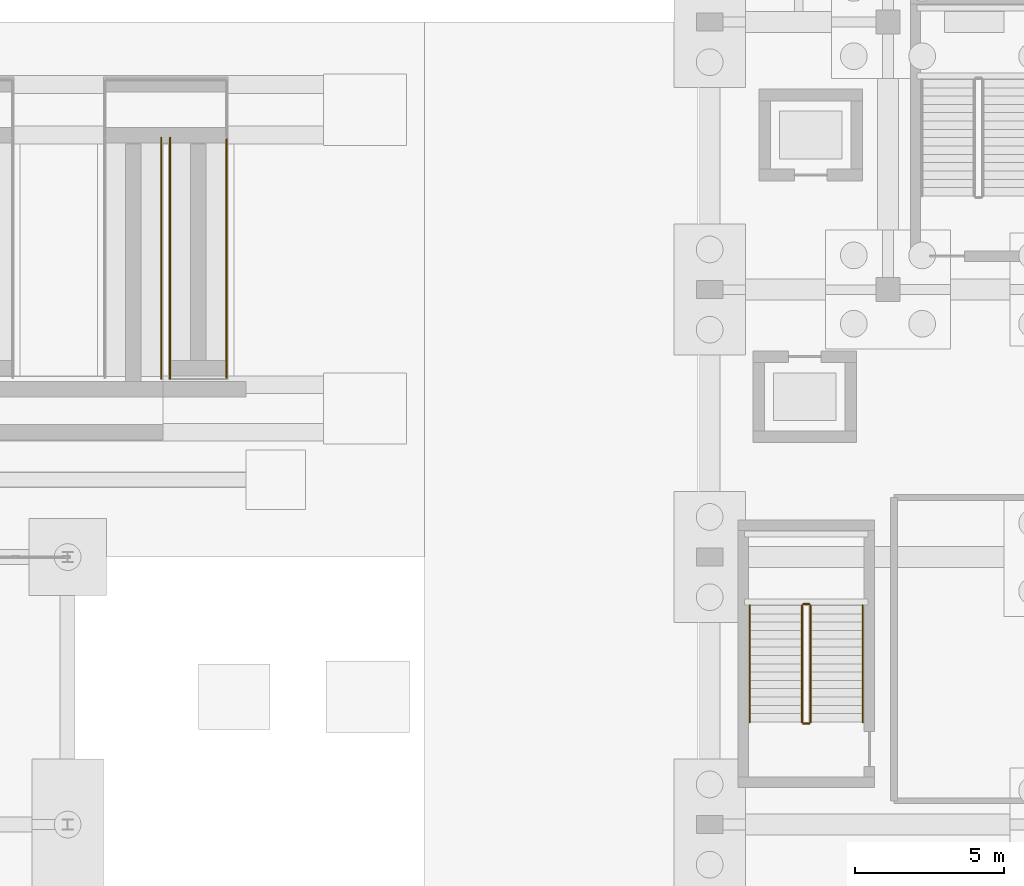
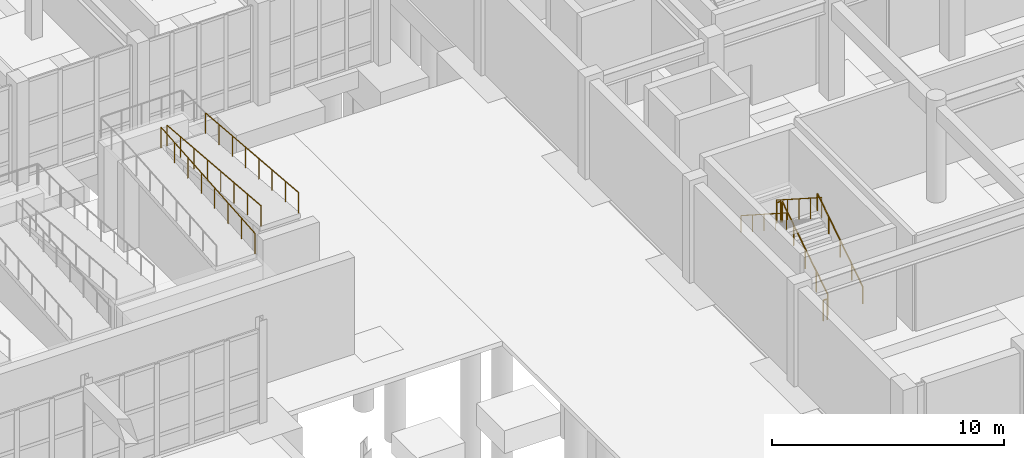
# One storey, part 60 of 69: 9 railings.
"""IFC4 building model written with IfcOpenShell, lengths in metres."""

from ifc_helpers import new_model, si_unit, direction, frame, origin, origin_2d, place, context, subcontext, project, spatial, circle, extrude, material, type_object, element, save


model = new_model("IFC4")

# Units and contexts
model_context = context("Model", 3, precision=1e-05, world=origin(), true_north=direction((0.0, 1.0)))
body_context = subcontext(model_context, "Body", "Model", "MODEL_VIEW")
ifc_project = project(units=[si_unit("LENGTHUNIT", "METRE"), si_unit("AREAUNIT", "SQUARE_METRE"), si_unit("VOLUMEUNIT", "CUBIC_METRE"), si_unit("PLANEANGLEUNIT", "RADIAN"), si_unit("MASSUNIT", "GRAM", prefix="KILO")], contexts=[model_context])

# Site, building, storey
site_placement = place(None, origin())
site = spatial("IfcSite", under=ifc_project, at=site_placement, CompositionType="ELEMENT")
building_placement = place(site_placement, origin())
building = spatial("IfcBuilding", under=site, at=building_placement, Name="Vaelkrest Opera House", CompositionType="ELEMENT")
storey_placement = place(building_placement, frame((0.0, 0.0, -5.39990234375)))
storey = spatial("IfcBuildingStorey", under=building, at=storey_placement, Name="B1", CompositionType="ELEMENT", Elevation=-5.39990234375)

# Railings
ifc_material = material(Name="Dark bronze anodized aluminium", Category="aluminium")
railing_type_1 = type_object("IfcRailingType", Name="GR01", PredefinedType="GUARDRAIL", material=ifc_material)
railing_1_placement = place(storey_placement, frame((-46.25, -23.739990234375, 4.724853515625)))
element("IfcRailing", 1, at=railing_1_placement, inside=storey, type_object=railing_type_1, Name="Ramp guardrail RMP-FC-4 seg 5", PredefinedType="GUARDRAIL", context=body_context, shape_type="SweptSolid", body=[
    extrude(circle(Radius=0.02392578125, at=origin_2d()), frame((0.0, 0.0, 1.076171875), z_axis=(0.0, -0.996476377592, 0.083873886881), x_axis=(1.0, 0.0, 0.0)), (0.0, 0.0, 1.0), 8.04833984375),
    extrude(circle(Radius=0.02099609375, at=origin_2d()), origin(), (0.0, 0.0, 1.0), 1.052001953125),
    extrude(circle(Radius=0.02099609375, at=origin_2d()), frame((0.0, -1.145751953125, 0.096435546875)), (0.0, 0.0, 1.0), 1.052001953125),
    extrude(circle(Radius=0.02099609375, at=origin_2d()), frame((0.0, -2.29150390625, 0.19287109375)), (0.0, 0.0, 1.0), 1.052001953125),
    extrude(circle(Radius=0.02099609375, at=origin_2d()), frame((0.0, -3.437255859375, 0.289306640625)), (0.0, 0.0, 1.0), 1.052001953125),
    extrude(circle(Radius=0.02099609375, at=origin_2d()), frame((0.0, -4.582763671875, 0.3857421875)), (0.0, 0.0, 1.0), 1.052001953125),
    extrude(circle(Radius=0.02099609375, at=origin_2d()), frame((0.0, -5.728515625, 0.482177734375)), (0.0, 0.0, 1.0), 1.052001953125),
    extrude(circle(Radius=0.02099609375, at=origin_2d()), frame((0.0, -6.874267578125, 0.57861328125)), (0.0, 0.0, 1.0), 1.052001953125),
    extrude(circle(Radius=0.02099609375, at=origin_2d()), frame((0.0, -8.02001953125, 0.675048828125)), (0.0, 0.0, 1.0), 1.052001953125),
])
railing_2_placement = place(storey_placement, frame((-48.449951171875, -31.800048828125, 4.0498046875)))
element("IfcRailing", 2, at=railing_2_placement, inside=storey, type_object=railing_type_1, Name="Ramp inner rail RMP-FC-4-1", PredefinedType="GUARDRAIL", context=body_context, shape_type="SweptSolid", body=[
    extrude(circle(Radius=0.02392578125, at=origin_2d()), frame((0.0, 0.0, 1.076171875), z_axis=(0.0, 0.996545343938, 0.083050451383), x_axis=(-1.0, 0.0, 0.0)), (0.0, 0.0, 1.0), 8.128173828125),
    extrude(circle(Radius=0.02099609375, at=origin_2d()), origin(), (0.0, 0.0, 1.0), 1.052001953125),
    extrude(circle(Radius=0.02099609375, at=origin_2d()), frame((0.0, 1.1572265625, 0.096435546875)), (0.0, 0.0, 1.0), 1.052001953125),
    extrude(circle(Radius=0.02099609375, at=origin_2d()), frame((0.0, 2.314208984375, 0.19287109375)), (0.0, 0.0, 1.0), 1.052001953125),
    extrude(circle(Radius=0.02099609375, at=origin_2d()), frame((0.0, 3.471435546875, 0.289306640625)), (0.0, 0.0, 1.0), 1.052001953125),
    extrude(circle(Radius=0.02099609375, at=origin_2d()), frame((0.0, 4.628662109375, 0.3857421875)), (0.0, 0.0, 1.0), 1.052001953125),
    extrude(circle(Radius=0.02099609375, at=origin_2d()), frame((0.0, 5.785888671875, 0.482177734375)), (0.0, 0.0, 1.0), 1.052001953125),
    extrude(circle(Radius=0.02099609375, at=origin_2d()), frame((0.0, 6.94287109375, 0.57861328125)), (0.0, 0.0, 1.0), 1.052001953125),
    extrude(circle(Radius=0.02099609375, at=origin_2d()), frame((0.0, 8.10009765625, 0.675048828125)), (0.0, 0.0, 1.0), 1.052001953125),
])
railing_3_placement = place(storey_placement, frame((-48.14990234375, -23.699951171875, 4.724853515625)))
element("IfcRailing", 3, at=railing_3_placement, inside=storey, type_object=railing_type_1, Name="Ramp inner rail RMP-FC-4-2", PredefinedType="GUARDRAIL", context=body_context, shape_type="SweptSolid", body=[
    extrude(circle(Radius=0.02392578125, at=origin_2d()), frame((0.0, 0.0, 1.076171875), z_axis=(0.0, -0.996545343938, 0.083050451383), x_axis=(1.0, 0.0, 0.0)), (0.0, 0.0, 1.0), 8.128173828125),
    extrude(circle(Radius=0.02099609375, at=origin_2d()), origin(), (0.0, 0.0, 1.0), 1.052001953125),
    extrude(circle(Radius=0.02099609375, at=origin_2d()), frame((0.0, -1.1572265625, 0.096435546875)), (0.0, 0.0, 1.0), 1.052001953125),
    extrude(circle(Radius=0.02099609375, at=origin_2d()), frame((0.0, -2.314208984375, 0.19287109375)), (0.0, 0.0, 1.0), 1.052001953125),
    extrude(circle(Radius=0.02099609375, at=origin_2d()), frame((0.0, -3.471435546875, 0.289306640625)), (0.0, 0.0, 1.0), 1.052001953125),
    extrude(circle(Radius=0.02099609375, at=origin_2d()), frame((0.0, -4.628662109375, 0.3857421875)), (0.0, 0.0, 1.0), 1.052001953125),
    extrude(circle(Radius=0.02099609375, at=origin_2d()), frame((0.0, -5.785888671875, 0.482177734375)), (0.0, 0.0, 1.0), 1.052001953125),
    extrude(circle(Radius=0.02099609375, at=origin_2d()), frame((0.0, -6.94287109375, 0.57861328125)), (0.0, 0.0, 1.0), 1.052001953125),
    extrude(circle(Radius=0.02099609375, at=origin_2d()), frame((0.0, -8.10009765625, 0.675048828125)), (0.0, 0.0, 1.0), 1.052001953125),
])
railing_type_2 = type_object("IfcRailingType", Name="GR02", PredefinedType="GUARDRAIL", material=ifc_material)
railing_4_placement = place(storey_placement, frame((-26.60009765625, -43.35009765625, 0.179931640625)))
element("IfcRailing", 4, at=railing_4_placement, inside=storey, type_object=railing_type_2, Name="B1 ST03 stair guard 1", PredefinedType="GUARDRAIL", context=body_context, shape_type="SweptSolid", body=[
    extrude(circle(Radius=0.02392578125, at=origin_2d()), frame((0.0, 0.0, 1.076171875), z_axis=(0.0, 0.841186985886, 0.540744352514), x_axis=(-1.0, 0.0, 0.0)), (0.0, 0.0, 1.0), 4.660400390625),
    extrude(circle(Radius=0.02099609375, at=origin_2d()), origin(), (0.0, 0.0, 1.0), 1.052001953125),
    extrude(circle(Radius=0.02099609375, at=origin_2d()), frame((0.0, 0.97998046875, 0.6298828125)), (0.0, 0.0, 1.0), 1.052001953125),
    extrude(circle(Radius=0.02099609375, at=origin_2d()), frame((0.0, 1.9599609375, 1.260009765625)), (0.0, 0.0, 1.0), 1.052001953125),
    extrude(circle(Radius=0.02099609375, at=origin_2d()), frame((0.0, 2.940185546875, 1.89013671875)), (0.0, 0.0, 1.0), 1.052001953125),
    extrude(circle(Radius=0.02099609375, at=origin_2d()), frame((0.0, 3.920166015625, 2.52001953125)), (0.0, 0.0, 1.0), 1.052001953125),
])
railing_5_placement = place(storey_placement, frame((-26.64990234375, -39.3798828125, 2.699951171875)))
element("IfcRailing", 5, at=railing_5_placement, inside=storey, type_object=railing_type_2, Name="B1 ST03 stair guard 2", PredefinedType="GUARDRAIL", context=body_context, shape_type="SweptSolid", body=[
    extrude(circle(Radius=0.02392578125, at=origin_2d()), frame((0.0, 0.0, 1.076171875), z_axis=(-1.0, 0.0, 0.0), x_axis=(0.0, -1.0, 0.0)), (0.0, 0.0, 1.0), 0.2001953125),
    extrude(circle(Radius=0.02099609375, at=origin_2d()), origin(), (0.0, 0.0, 1.0), 1.052001953125),
    extrude(circle(Radius=0.02099609375, at=origin_2d()), frame((-0.2001953125, 0.0, 0.0)), (0.0, 0.0, 1.0), 1.052001953125),
])
railing_6_placement = place(storey_placement, frame((-26.89990234375, -39.429931640625, 2.8798828125)))
element("IfcRailing", 6, at=railing_6_placement, inside=storey, type_object=railing_type_2, Name="B1 ST03 stair guard 3", PredefinedType="GUARDRAIL", context=body_context, shape_type="SweptSolid", body=[
    extrude(circle(Radius=0.02392578125, at=origin_2d()), frame((0.0, 0.0, 1.076171875), z_axis=(0.0, -0.841186985886, 0.540744352514), x_axis=(1.0, 0.0, 0.0)), (0.0, 0.0, 1.0), 4.660400390625),
    extrude(circle(Radius=0.02099609375, at=origin_2d()), origin(), (0.0, 0.0, 1.0), 1.052001953125),
    extrude(circle(Radius=0.02099609375, at=origin_2d()), frame((0.0, -0.97998046875, 0.6298828125)), (0.0, 0.0, 1.0), 1.052001953125),
    extrude(circle(Radius=0.02099609375, at=origin_2d()), frame((0.0, -1.9599609375, 1.260009765625)), (0.0, 0.0, 1.0), 1.052001953125),
    extrude(circle(Radius=0.02099609375, at=origin_2d()), frame((0.0, -2.940185546875, 1.89013671875)), (0.0, 0.0, 1.0), 1.052001953125),
    extrude(circle(Radius=0.02099609375, at=origin_2d()), frame((0.0, -3.920166015625, 2.52001953125)), (0.0, 0.0, 1.0), 1.052001953125),
])
railing_7_placement = place(storey_placement, frame((-26.64990234375, -43.39990234375, 0.0)))
element("IfcRailing", 7, at=railing_7_placement, inside=storey, type_object=railing_type_2, Name="B1 ST03 stair guard 4", PredefinedType="GUARDRAIL", context=body_context, shape_type="SweptSolid", body=[
    extrude(circle(Radius=0.02392578125, at=origin_2d()), frame((0.0, 0.0, 1.076171875), z_axis=(-1.0, 0.0, 0.0), x_axis=(0.0, -1.0, 0.0)), (0.0, 0.0, 1.0), 0.2001953125),
    extrude(circle(Radius=0.02099609375, at=origin_2d()), origin(), (0.0, 0.0, 1.0), 1.052001953125),
    extrude(circle(Radius=0.02099609375, at=origin_2d()), frame((-0.2001953125, 0.0, 0.0)), (0.0, 0.0, 1.0), 1.052001953125),
])
railing_type_3 = type_object("IfcRailingType", Name="HR02", PredefinedType="HANDRAIL", material=ifc_material)
railing_8_placement = place(storey_placement, frame((-24.85009765625, -43.35009765625, 0.179931640625)))
element("IfcRailing", 8, at=railing_8_placement, inside=storey, type_object=railing_type_3, Name="B1 ST03 stair handrail 1", PredefinedType="HANDRAIL", context=body_context, shape_type="SweptSolid", body=[
    extrude(circle(Radius=0.02392578125, at=origin_2d()), frame((0.0, 0.0, 0.8759765625), z_axis=(0.0, 0.841186985886, 0.540744352514), x_axis=(-1.0, 0.0, 0.0)), (0.0, 0.0, 1.0), 4.660400390625),
    extrude(circle(Radius=0.02099609375, at=origin_2d()), origin(), (0.0, 0.0, 1.0), 0.851806640625),
    extrude(circle(Radius=0.02099609375, at=origin_2d()), frame((0.0, 0.97998046875, 0.6298828125)), (0.0, 0.0, 1.0), 0.851806640625),
    extrude(circle(Radius=0.02099609375, at=origin_2d()), frame((0.0, 1.9599609375, 1.260009765625)), (0.0, 0.0, 1.0), 0.851806640625),
    extrude(circle(Radius=0.02099609375, at=origin_2d()), frame((0.0, 2.940185546875, 1.89013671875)), (0.0, 0.0, 1.0), 0.851806640625),
    extrude(circle(Radius=0.02099609375, at=origin_2d()), frame((0.0, 3.920166015625, 2.52001953125)), (0.0, 0.0, 1.0), 0.851806640625),
])
railing_9_placement = place(storey_placement, frame((-28.64990234375, -39.429931640625, 2.8798828125)))
element("IfcRailing", 9, at=railing_9_placement, inside=storey, type_object=railing_type_3, Name="B1 ST03 stair handrail 2", PredefinedType="HANDRAIL", context=body_context, shape_type="SweptSolid", body=[
    extrude(circle(Radius=0.02392578125, at=origin_2d()), frame((0.0, 0.0, 0.8759765625), z_axis=(0.0, -0.841186985886, 0.540744352514), x_axis=(1.0, 0.0, 0.0)), (0.0, 0.0, 1.0), 4.660400390625),
    extrude(circle(Radius=0.02099609375, at=origin_2d()), origin(), (0.0, 0.0, 1.0), 0.851806640625),
    extrude(circle(Radius=0.02099609375, at=origin_2d()), frame((0.0, -0.97998046875, 0.6298828125)), (0.0, 0.0, 1.0), 0.851806640625),
    extrude(circle(Radius=0.02099609375, at=origin_2d()), frame((0.0, -1.9599609375, 1.260009765625)), (0.0, 0.0, 1.0), 0.851806640625),
    extrude(circle(Radius=0.02099609375, at=origin_2d()), frame((0.0, -2.940185546875, 1.89013671875)), (0.0, 0.0, 1.0), 0.851806640625),
    extrude(circle(Radius=0.02099609375, at=origin_2d()), frame((0.0, -3.920166015625, 2.52001953125)), (0.0, 0.0, 1.0), 0.851806640625),
])

save(model, "model.ifc")
